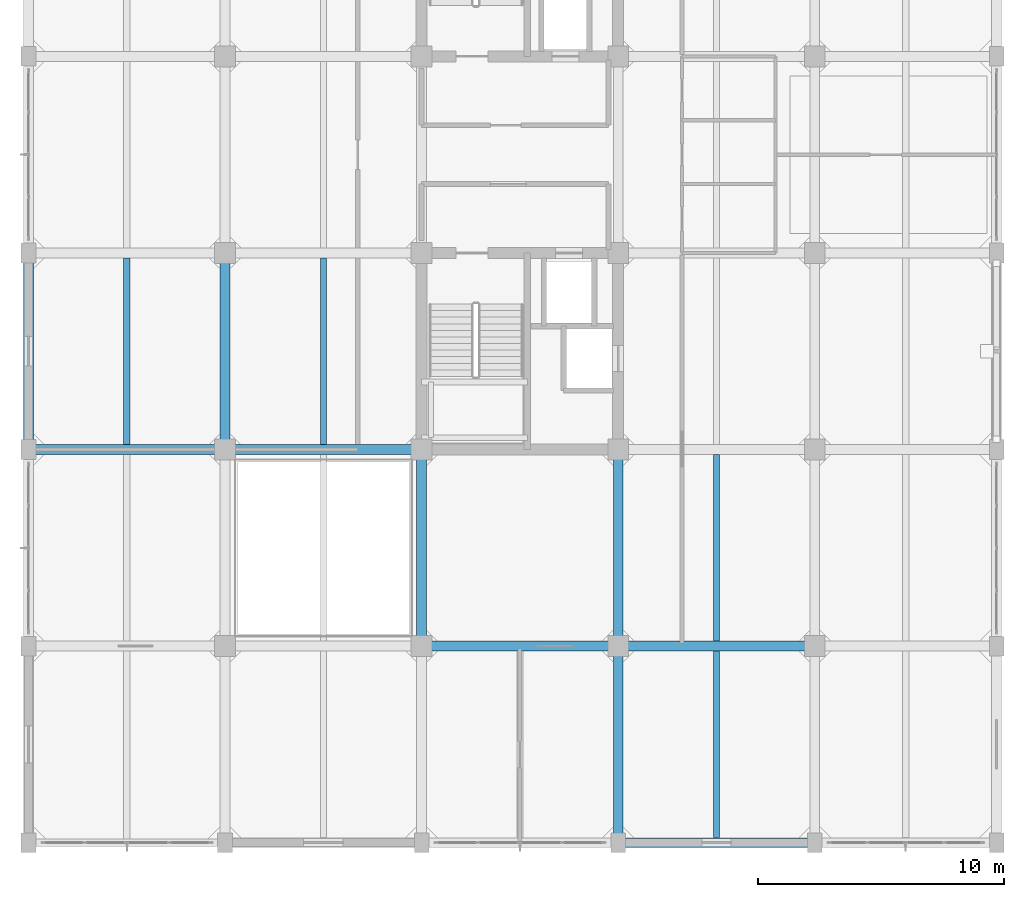
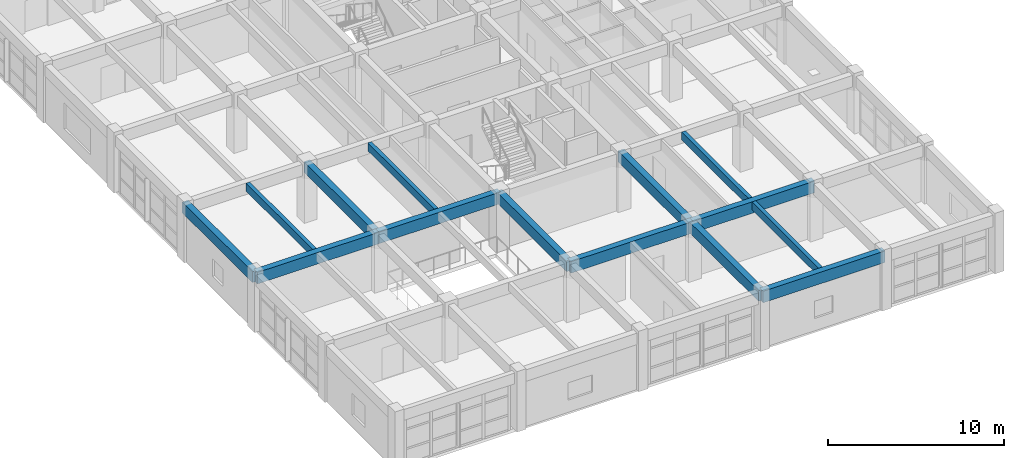
# One storey, part 7 of 30: 14 beams.
"""IFC4 building model written with IfcOpenShell, lengths in metres."""

from ifc_helpers import new_model, si_unit, direction, frame, origin, origin_2d, place, context, subcontext, project, spatial, rectangle, extrude, material, material_profile, profile_set, type_object, element, save


model = new_model("IFC4")

# Units and contexts
model_context = context("Model", 3, precision=1e-05, world=origin(), true_north=direction((0.0, 1.0)))
body_context = subcontext(model_context, "Body", "Model", "MODEL_VIEW")
ifc_project = project(units=[si_unit("LENGTHUNIT", "METRE"), si_unit("AREAUNIT", "SQUARE_METRE"), si_unit("VOLUMEUNIT", "CUBIC_METRE"), si_unit("PLANEANGLEUNIT", "RADIAN"), si_unit("MASSUNIT", "GRAM", prefix="KILO")], contexts=[model_context])

# Site, building, storey
site_placement = place(None, origin())
site = spatial("IfcSite", under=ifc_project, at=site_placement, CompositionType="ELEMENT")
building_placement = place(site_placement, origin())
building = spatial("IfcBuilding", under=site, at=building_placement, Name="Canggui Botanical Conservatory", CompositionType="ELEMENT")
storey_placement = place(building_placement, frame((0.0, 0.0, 19.199951171875)))
storey = spatial("IfcBuildingStorey", under=building, at=storey_placement, Name="L05", CompositionType="ELEMENT", Elevation=19.199951171875)

# Beams
ifc_material = material(Name="Concrete C35", Category="concrete")
ifc_material_profile_1 = material_profile(ifc_material, rectangle(XDim=0.25, YDim=0.550048828125, at=origin_2d()), Name="RB 250x550")
ifc_profile_set_1 = profile_set([ifc_material_profile_1], Name="Concrete C35")
beam_type_1 = type_object("IfcBeamType", Name="BM-JST03", PredefinedType="JOIST", material=ifc_profile_set_1)
for number, where, z_axis, x_axis, name in (
    (1, (142.0, 42.205078125, 3.68505859375), (0.0, 1.0, 0.0), (-1.0, 0.0, 0.0), "Secondary Floor Joist L05-1-3"),
    (2, (150.0, 42.205078125, 3.68505859375), (0.0, 1.0, 0.0), (-1.0, 0.0, 0.0), "Secondary Floor Joist L05-2-3"),
    (3, (166.0, 26.205078125, 3.68505859375), (0.0, 1.0, 0.0), (-1.0, 0.0, 0.0), "Secondary Floor Joist L05-4-1"),
    (4, (166.0, 34.205078125, 3.68505859375), (0.0, 1.0, 0.0), (-1.0, 0.0, 0.0), "Secondary Floor Joist L05-4-2"),
):
    element("IfcBeam", number, at=place(storey_placement, frame(where, z_axis=z_axis, x_axis=x_axis)), inside=storey, type_object=beam_type_1, Name=name, PredefinedType="JOIST", context=body_context, shape_type="SweptSolid", body=[
        extrude(rectangle(XDim=0.25, YDim=0.550048828125, at=origin_2d()), origin(), (0.0, 0.0, 1.0), 7.58984375),
    ])
ifc_material_profile_2 = material_profile(ifc_material, rectangle(XDim=0.39990234375, YDim=0.800048828125, at=origin_2d()), Name="RB 400x800")
ifc_profile_set_2 = profile_set([ifc_material_profile_2], Name="Concrete C35")
beam_type_2 = type_object("IfcBeamType", Name="BM-KL09", PredefinedType="BEAM", material=ifc_profile_set_2)
for number, where, z_axis, x_axis, name in (
    (5, (162.0, 26.0, 3.56005859375), (1.0, 0.0, 0.0), (0.0, 1.0, 0.0), "Frame Girder L05 Y26-4"),
    (6, (154.0, 34.0, 3.56005859375), (1.0, 0.0, 0.0), (0.0, 1.0, 0.0), "Frame Girder L05 Y34-3"),
    (7, (162.0, 34.0, 3.56005859375), (1.0, 0.0, 0.0), (0.0, 1.0, 0.0), "Frame Girder L05 Y34-4"),
    (8, (138.0, 42.0, 3.56005859375), (1.0, 0.0, 0.0), (0.0, 1.0, 0.0), "Frame Girder L05 Y42-1"),
    (9, (146.0, 42.0, 3.56005859375), (1.0, 0.0, 0.0), (0.0, 1.0, 0.0), "Frame Girder L05 Y42-2"),
):
    element("IfcBeam", number, at=place(storey_placement, frame(where, z_axis=z_axis, x_axis=x_axis)), inside=storey, type_object=beam_type_2, Name=name, PredefinedType="BEAM", context=body_context, shape_type="SweptSolid", body=[
        extrude(rectangle(XDim=0.39990234375, YDim=0.800048828125, at=origin_2d()), origin(), (0.0, 0.0, 1.0), 8.0),
    ])
ifc_material_profile_3 = material_profile(ifc_material, rectangle(XDim=0.39990234375, YDim=0.75, at=origin_2d()), Name="RB 400x750")
ifc_profile_set_3 = profile_set([ifc_material_profile_3], Name="Concrete C35")
beam_type_3 = type_object("IfcBeamType", Name="BM-KL10", PredefinedType="BEAM", material=ifc_profile_set_3)
for number, where, z_axis, x_axis, name in (
    (10, (138.0, 42.0, 3.5849609375), (0.0, 1.0, 0.0), (-1.0, 0.0, 0.0), "Frame Girder L05 X138-3"),
    (11, (146.0, 42.0, 3.5849609375), (0.0, 1.0, 0.0), (-1.0, 0.0, 0.0), "Frame Girder L05 X146-3"),
    (12, (154.0, 34.0, 3.5849609375), (0.0, 1.0, 0.0), (-1.0, 0.0, 0.0), "Frame Girder L05 X154-2"),
    (13, (162.0, 26.0, 3.5849609375), (0.0, 1.0, 0.0), (-1.0, 0.0, 0.0), "Frame Girder L05 X162-1"),
    (14, (162.0, 34.0, 3.5849609375), (0.0, 1.0, 0.0), (-1.0, 0.0, 0.0), "Frame Girder L05 X162-2"),
):
    element("IfcBeam", number, at=place(storey_placement, frame(where, z_axis=z_axis, x_axis=x_axis)), inside=storey, type_object=beam_type_3, Name=name, PredefinedType="BEAM", context=body_context, shape_type="SweptSolid", body=[
        extrude(rectangle(XDim=0.39990234375, YDim=0.75, at=origin_2d()), origin(), (0.0, 0.0, 1.0), 8.0),
    ])

save(model, "model.ifc")
